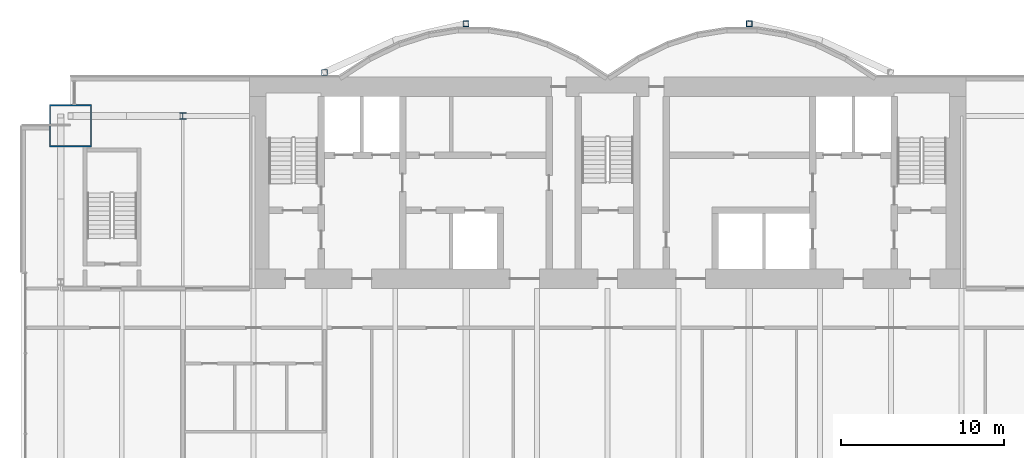
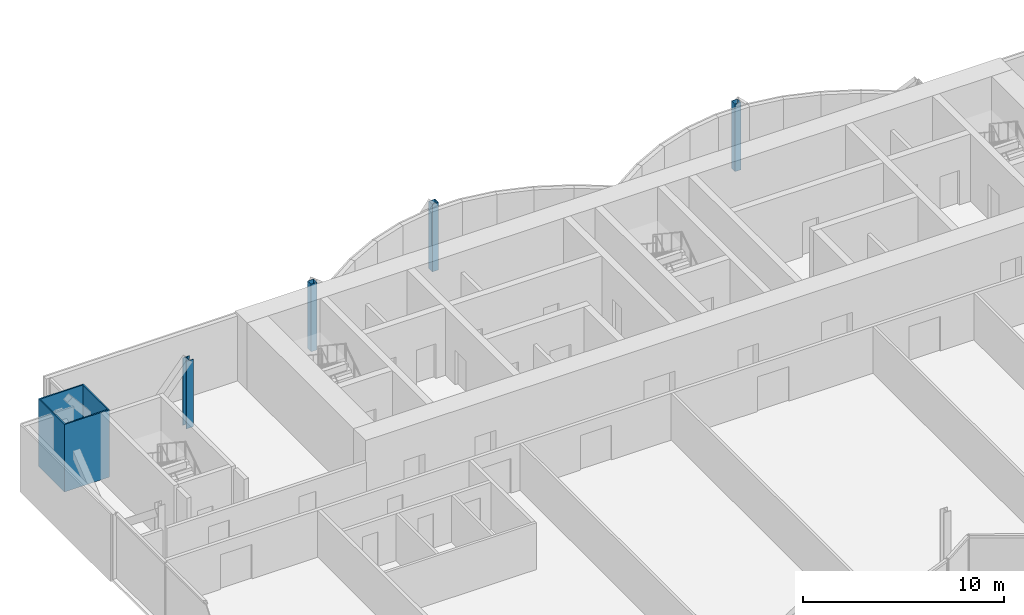
# One storey, part 3 of 21: 5 columns.
"""IFC4 building model written with IfcOpenShell, lengths in metres."""

from ifc_helpers import new_model, si_unit, direction, frame, origin, origin_2d, place, context, subcontext, project, spatial, hollow_rectangle, i_section, extrude, material, material_profile, profile_set, type_object, element, save


model = new_model("IFC4")

# Units and contexts
model_context = context("Model", 3, precision=1e-05, world=origin(), true_north=direction((0.0, 1.0)))
body_context = subcontext(model_context, "Body", "Model", "MODEL_VIEW")
ifc_project = project(units=[si_unit("LENGTHUNIT", "METRE"), si_unit("AREAUNIT", "SQUARE_METRE"), si_unit("VOLUMEUNIT", "CUBIC_METRE"), si_unit("PLANEANGLEUNIT", "RADIAN"), si_unit("MASSUNIT", "GRAM", prefix="KILO")], contexts=[model_context])

# Site, building, storey
site_placement = place(None, origin())
site = spatial("IfcSite", under=ifc_project, at=site_placement, CompositionType="ELEMENT")
building_placement = place(site_placement, origin())
building = spatial("IfcBuilding", under=site, at=building_placement, Name="Bicima Exchange Tower", CompositionType="ELEMENT")
storey_placement = place(building_placement, frame((0.0, 0.0, 156.800048828125)))
storey = spatial("IfcBuildingStorey", under=building, at=storey_placement, Name="L34", CompositionType="ELEMENT", Elevation=156.800048828125)

# Columns
ifc_material_1 = material(Name="Steel ASTM A572 Gr 50", Category="steel")
ifc_material_profile_1 = material_profile(ifc_material_1, hollow_rectangle(XDim=2.60009765625, YDim=2.60009765625, WallThickness=0.080078125, at=origin_2d()))
ifc_profile_set_1 = profile_set([ifc_material_profile_1], Name="Steel ASTM A572 Gr 50")
column_type_1 = type_object("IfcColumnType", Name="Mega column BOX 2600x2600x80", PredefinedType="COLUMN", material=ifc_profile_set_1)
column_1_placement = place(storey_placement, frame((-33.0, -3.0, 0.0), z_axis=(0.0, 0.0, 1.0), x_axis=(1.0, 0.0, 0.0)))
element("IfcColumn", 1, at=column_1_placement, inside=storey, type_object=column_type_1, Name="Mega column mega-33.0r", PredefinedType="COLUMN", context=body_context, shape_type="SweptSolid", body=[
    extrude(hollow_rectangle(XDim=2.60009765625, YDim=2.60009765625, WallThickness=0.080078125, at=origin_2d()), origin(), (0.0, 0.0, 1.0), 4.099853515625),
])
ifc_material_2 = material(Name="Steel ASTM A992 Gr 50", Category="steel")
ifc_material_profile_2 = material_profile(ifc_material_2, i_section(OverallWidth=0.396240234375, OverallDepth=0.381103515625, WebThickness=0.01904296875, FlangeThickness=0.0302734375, at=origin_2d()))
ifc_profile_set_2 = profile_set([ifc_material_profile_2], Name="Steel ASTM A992 Gr 50")
column_type_2 = type_object("IfcColumnType", Name="Perimeter column W14x159", PredefinedType="COLUMN", material=ifc_profile_set_2)
column_2_placement = place(storey_placement, frame((-26.10009765625, -2.39990234375, 0.0), z_axis=(0.0, 0.0, 1.0), x_axis=(1.0, 0.0, 0.0)))
element("IfcColumn", 2, at=column_2_placement, inside=storey, type_object=column_type_2, Name="Perimeter column grav-26.1r", PredefinedType="COLUMN", context=body_context, shape_type="SweptSolid", body=[
    extrude(i_section(OverallWidth=0.396240234375, OverallDepth=0.381103515625, WebThickness=0.01904296875, FlangeThickness=0.0302734375, at=origin_2d()), origin(), (0.0, 0.0, 1.0), 4.099853515625),
])
ifc_material_profile_3 = material_profile(ifc_material_1, hollow_rectangle(XDim=0.355712890625, YDim=0.355712890625, WallThickness=0.01171875, at=origin_2d()))
ifc_profile_set_3 = profile_set([ifc_material_profile_3], Name="Steel ASTM A572 Gr 50")
column_type_3 = type_object("IfcColumnType", Name="Rear pilaster HSS14x14x1/2", PredefinedType="COLUMN", material=ifc_profile_set_3)
for number, where, z_axis, x_axis, name in (
    (3, (-8.699951171875, 3.26904296875, 0.0), (0.0, 0.0, 1.0), (1.0, 0.0, 0.0), "Rear pilaster rexo-8.7r"),
    (4, (-17.39990234375, 0.278076171875, 0.0), (0.0, 0.0, 1.0), (1.0, 0.0, 0.0), "Rear pilaster rexo-17.4r"),
    (5, (8.699951171875, 3.26904296875, 0.0), (0.0, 0.0, 1.0), (1.0, 0.0, 0.0), "Rear pilaster rexo+8.7r"),
):
    element("IfcColumn", number, at=place(storey_placement, frame(where, z_axis=z_axis, x_axis=x_axis)), inside=storey, type_object=column_type_3, Name=name, PredefinedType="COLUMN", context=body_context, shape_type="SweptSolid", body=[
        extrude(hollow_rectangle(XDim=0.355712890625, YDim=0.355712890625, WallThickness=0.01171875, at=origin_2d()), origin(), (0.0, 0.0, 1.0), 4.099853515625),
    ])

save(model, "model.ifc")
